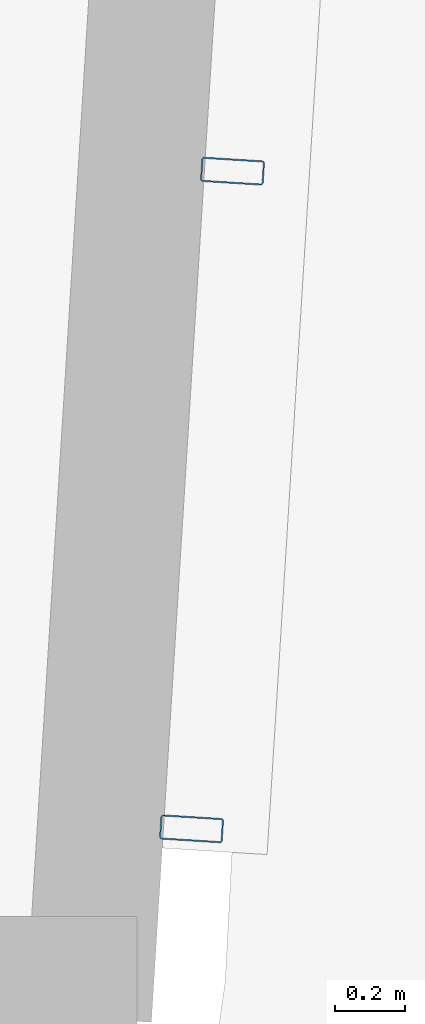
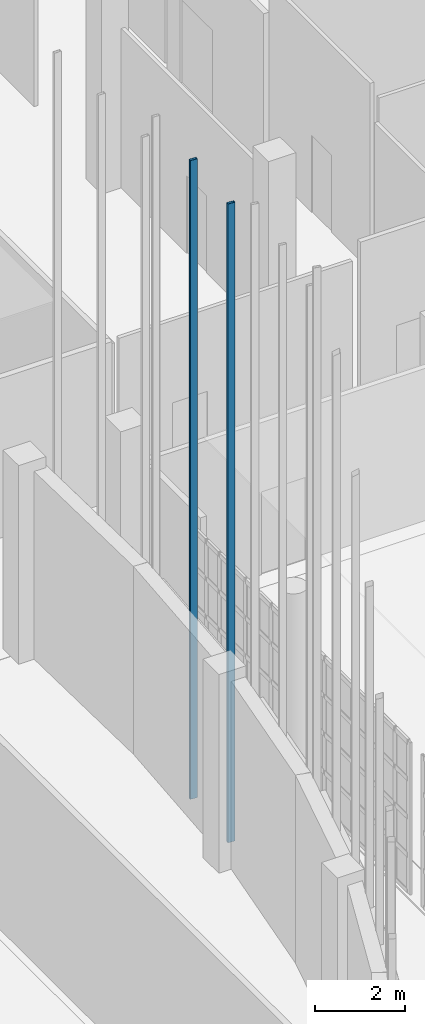
# One storey, part 228 of 372: 2 members.
"""IFC4 building model written with IfcOpenShell, lengths in metres."""

from ifc_helpers import new_model, si_unit, direction, frame, origin, origin_2d, place, context, subcontext, project, spatial, hollow_rectangle, extrude, material, material_profile, profile_set, type_object, element, save


model = new_model("IFC4")

# Units and contexts
model_context = context("Model", 3, precision=1e-05, world=origin(), true_north=direction((0.0, 1.0)))
body_context = subcontext(model_context, "Body", "Model", "MODEL_VIEW")
ifc_project = project(units=[si_unit("LENGTHUNIT", "METRE"), si_unit("AREAUNIT", "SQUARE_METRE"), si_unit("VOLUMEUNIT", "CUBIC_METRE"), si_unit("PLANEANGLEUNIT", "RADIAN"), si_unit("MASSUNIT", "GRAM", prefix="KILO")], contexts=[model_context])

# Site, building, storey
site_placement = place(None, origin())
site = spatial("IfcSite", under=ifc_project, at=site_placement, CompositionType="ELEMENT")
building_placement = place(site_placement, origin())
building = spatial("IfcBuilding", under=site, at=building_placement, Name="Kaelora Sail Theatre", CompositionType="ELEMENT")
storey_placement = place(building_placement, origin())
storey = spatial("IfcBuildingStorey", under=building, at=storey_placement, Name="L00", CompositionType="ELEMENT", Elevation=0.0)

# Members
ifc_material = material(Name="Anodised aluminium 6063-T6", Category="aluminium")
ifc_material_profile = material_profile(ifc_material, hollow_rectangle(XDim=0.070068359375, YDim=0.179931640625, WallThickness=0.00390625, InnerFilletRadius=0.00390625, OuterFilletRadius=0.008056640625, at=origin_2d()), Name="ALU-MULL 70x180x4")
ifc_profile_set = profile_set([ifc_material_profile], Name="Anodised aluminium 6063-T6")
member_type = type_object("IfcMemberType", Name="ARC-MEM-PST-160", PredefinedType="POST", material=ifc_profile_set)
for number, where, z_axis, x_axis, name in (
    (1, (104.60595703125, 54.2431640625, 0.0), (0.0, 0.0, 1.0), (-0.062093750187, -0.998070321264, 0.0), "Studio Theatre Sail Drum solar louvre vertical support post C2-2"),
    (2, (104.489013671875, 52.364990234375, 0.0), (0.0, 0.0, 1.0), (-0.062093750187, -0.998070321264, 0.0), "Studio Theatre Sail Drum solar louvre vertical support post C2-3"),
):
    element("IfcMember", number, at=place(storey_placement, frame(where, z_axis=z_axis, x_axis=x_axis)), inside=storey, type_object=member_type, Name=name, PredefinedType="POST", context=body_context, shape_type="SweptSolid", body=[
        extrude(hollow_rectangle(XDim=0.070068359375, YDim=0.179931640625, WallThickness=0.00390625, InnerFilletRadius=0.00390625, OuterFilletRadius=0.008056640625, at=origin_2d()), origin(), (0.0, 0.0, 1.0), 17.365966796875),
    ])

save(model, "model.ifc")
